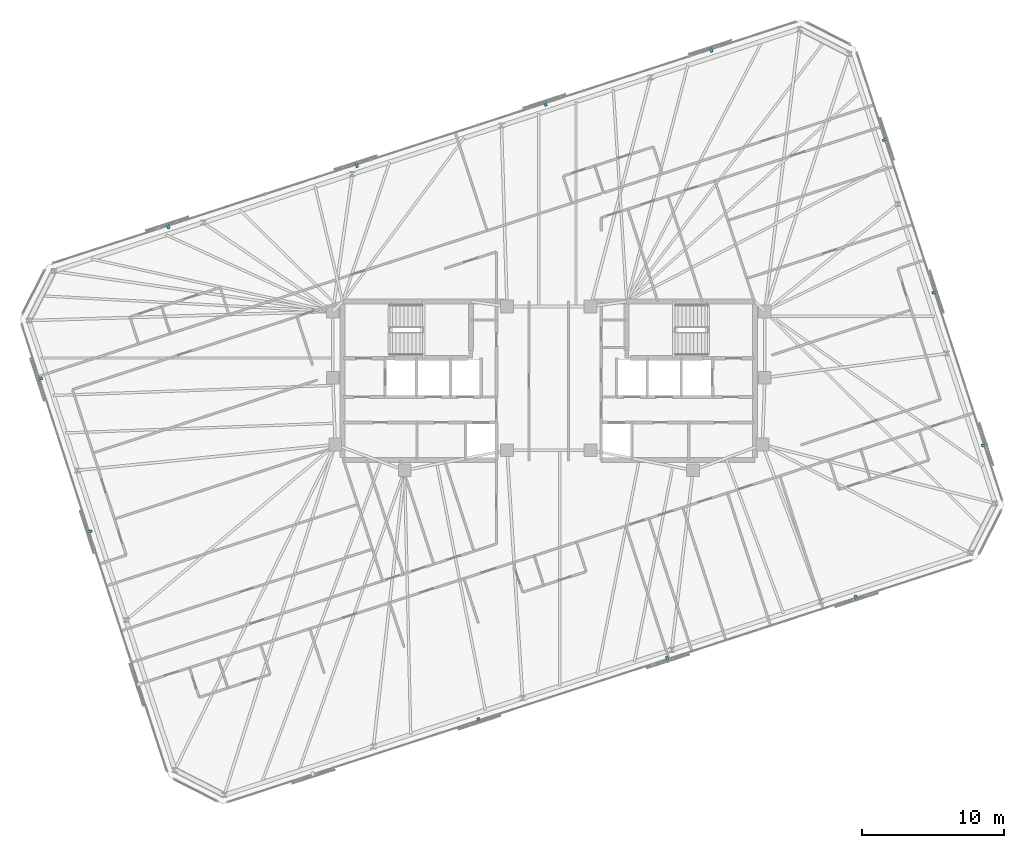
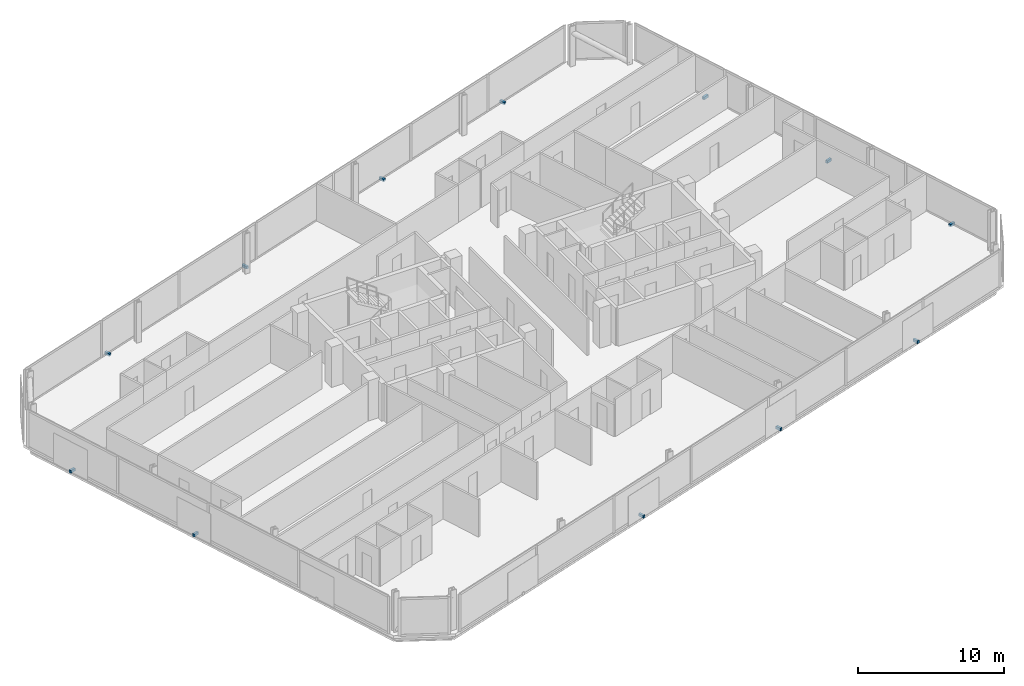
# One storey, part 18 of 19: 12 discrete accessories.
"""IFC4 building model written with IfcOpenShell, lengths in metres."""

from ifc_helpers import new_model, si_unit, direction, frame, origin, origin_2d, place, context, subcontext, project, spatial, rectangle, extrude, material, type_object, element, save


model = new_model("IFC4")

# Units and contexts
model_context = context("Model", 3, precision=1e-05, world=origin(), true_north=direction((0.0, 1.0)))
body_context = subcontext(model_context, "Body", "Model", "MODEL_VIEW")
ifc_project = project(units=[si_unit("LENGTHUNIT", "METRE"), si_unit("AREAUNIT", "SQUARE_METRE"), si_unit("VOLUMEUNIT", "CUBIC_METRE"), si_unit("PLANEANGLEUNIT", "RADIAN"), si_unit("MASSUNIT", "GRAM", prefix="KILO")], contexts=[model_context])

# Site, building, storey
site_placement = place(None, origin())
site = spatial("IfcSite", under=ifc_project, at=site_placement, CompositionType="ELEMENT")
building_placement = place(site_placement, origin())
building = spatial("IfcBuilding", under=site, at=building_placement, Name="Menara Jurai Vektor", CompositionType="ELEMENT")
storey_placement = place(building_placement, frame((0.0, 0.0, 214.25)))
storey = spatial("IfcBuildingStorey", under=building, at=storey_placement, Name="L56", CompositionType="ELEMENT", Elevation=214.25)

# Discrete accessories
ifc_material = material(Name="Steel S355", Category="steel")
discrete_accessory_type = type_object("IfcDiscreteAccessoryType", Name="ENV-ACC-BRACKET", PredefinedType="BRACKET", material=ifc_material)
for number, where, z_axis, x_axis, name in (
    (1, (-4.93798828125, -23.99951171875, -0.1298828125), (0.0, 0.0, 1.0), (0.951056516295, 0.309016994375, 0.0), "Solar Screen Stand-Off Bracket L56-S02"),
    (2, (8.376708984375, -19.673095703125, -0.1298828125), (0.0, 0.0, 1.0), (0.951056516295, 0.309016994375, 0.0), "Solar Screen Stand-Off Bracket L56-S03"),
    (3, (21.69140625, -15.346923828125, -0.1298828125), (0.0, 0.0, 1.0), (0.951056516295, 0.309016994375, 0.0), "Solar Screen Stand-Off Bracket L56-S04"),
    (4, (30.76220703125, -4.527587890625, -0.1298828125), (0.0, 0.0, 1.0), (-0.309016994375, 0.951056516295, 0.0), "Solar Screen Stand-Off Bracket L56-S05"),
    (5, (27.260009765625, 6.2509765625, -0.1298828125), (0.0, 0.0, 1.0), (-0.309016994375, 0.951056516295, 0.0), "Solar Screen Stand-Off Bracket L56-S06"),
    (6, (23.7578125, 17.029541015625, -0.1298828125), (0.0, 0.0, 1.0), (-0.309016994375, 0.951056516295, 0.0), "Solar Screen Stand-Off Bracket L56-S07"),
    (7, (11.455078125, 23.406494140625, -0.1298828125), (0.0, 0.0, 1.0), (-0.951056516295, -0.309016994375, 0.0), "Solar Screen Stand-Off Bracket L56-S08"),
    (8, (-0.261962890625, 19.599365234375, -0.1298828125), (0.0, 0.0, 1.0), (-0.951056516295, -0.309016994375, 0.0), "Solar Screen Stand-Off Bracket L56-S09"),
    (9, (-13.576904296875, 15.273193359375, -0.1298828125), (0.0, 0.0, 1.0), (-0.951056516295, -0.309016994375, 0.0), "Solar Screen Stand-Off Bracket L56-S10"),
    (10, (-26.8916015625, 10.947021484375, -0.1298828125), (0.0, 0.0, 1.0), (-0.951056516295, -0.309016994375, 0.0), "Solar Screen Stand-Off Bracket L56-S11"),
    (11, (-35.962158203125, 0.127685546875, -0.1298828125), (0.0, 0.0, 1.0), (0.309016994375, -0.951056516295, 0.0), "Solar Screen Stand-Off Bracket L56-S12"),
    (12, (-32.4599609375, -10.65087890625, -0.1298828125), (0.0, 0.0, 1.0), (0.309016994375, -0.951056516295, 0.0), "Solar Screen Stand-Off Bracket L56-S13"),
):
    element("IfcDiscreteAccessory", number, at=place(storey_placement, frame(where, z_axis=z_axis, x_axis=x_axis)), inside=storey, type_object=discrete_accessory_type, Name=name, PredefinedType="BRACKET", context=body_context, shape_type="SweptSolid", body=[
        extrude(rectangle(XDim=0.179931640625, YDim=0.43994140625, at=origin_2d()), origin(), (0.0, 0.0, 1.0), 0.219970703125),
    ])

save(model, "model.ifc")
